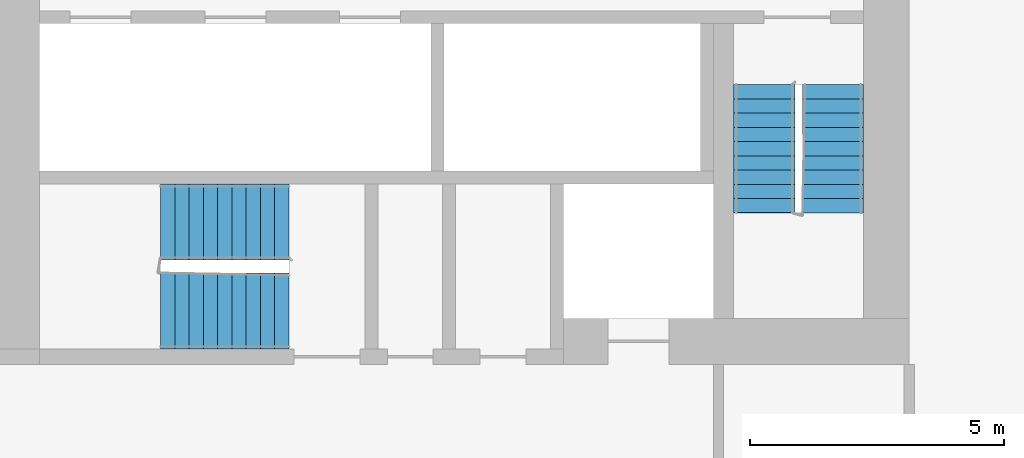
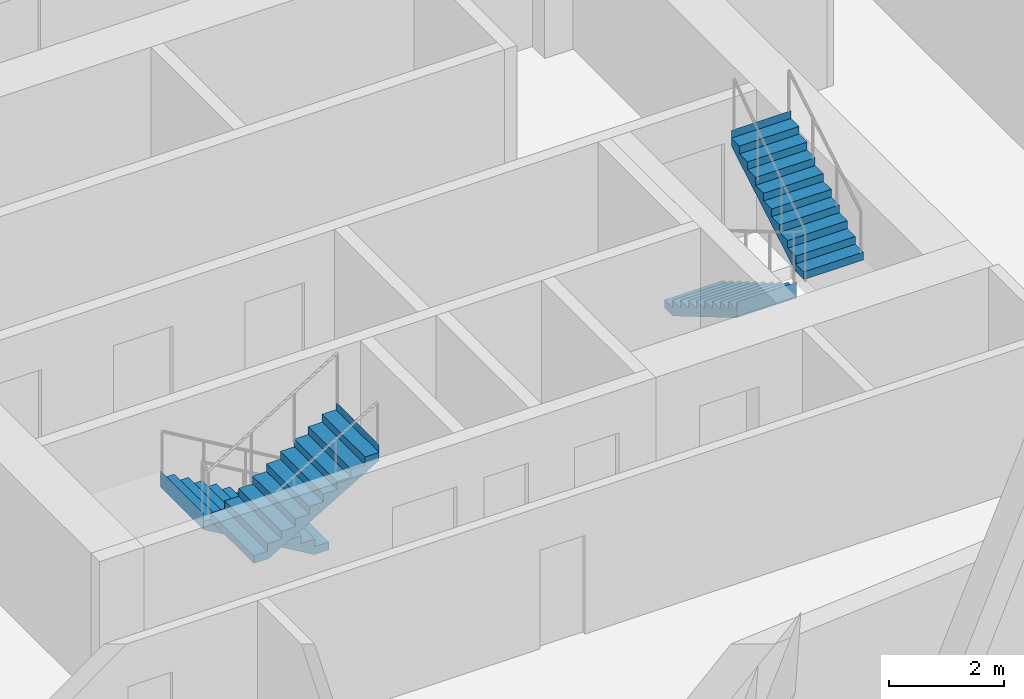
# One storey, part 9 of 13: 4 stair flights, 2 elements without a shape of their own.
"""IFC4 building model written with IfcOpenShell, lengths in metres."""

from ifc_helpers import new_model, si_unit, direction, frame, origin, place, context, subcontext, project, spatial, faceted_brep, material, type_object, element, aggregate, save


model = new_model("IFC4")

# Units and contexts
model_context = context("Model", 3, precision=1e-05, world=origin(), true_north=direction((0.0, 1.0)))
body_context = subcontext(model_context, "Body", "Model", "MODEL_VIEW")
ifc_project = project(units=[si_unit("LENGTHUNIT", "METRE"), si_unit("AREAUNIT", "SQUARE_METRE"), si_unit("VOLUMEUNIT", "CUBIC_METRE"), si_unit("PLANEANGLEUNIT", "RADIAN"), si_unit("MASSUNIT", "GRAM", prefix="KILO")], contexts=[model_context])

# Site, building, storey
site_placement = place(None, origin())
site = spatial("IfcSite", under=ifc_project, at=site_placement, CompositionType="ELEMENT")
building_placement = place(site_placement, origin())
building = spatial("IfcBuilding", under=site, at=building_placement, Name="Kajstack Hotel Tower", CompositionType="ELEMENT")
storey_placement = place(building_placement, frame((0.0, 0.0, 120.699951171875)))
storey = spatial("IfcBuildingStorey", under=building, at=storey_placement, Name="L26", CompositionType="ELEMENT", Elevation=120.699951171875)

# Stair, stair flights
ifc_material = material(Name="Concrete C40/50", Category="concrete")
stair_type_1 = type_object("IfcStairType", Name="Exit stair 1200", PredefinedType="HALF_TURN_STAIR", material=ifc_material)
stair_1_placement = place(storey_placement, origin())
stair_1 = element("IfcStair", 1, at=stair_1_placement, inside=storey, type_object=stair_type_1, Name="L26 stair W2", PredefinedType="HALF_TURN_STAIR")
stair_flight_type_1 = type_object("IfcStairFlightType", Name="Exit stair flight 1200", PredefinedType="STRAIGHT", material=ifc_material)
stair_flight_1_placement = place(storey_placement, frame((-16.35009765625, -10.0, 0.0), z_axis=(0.0, 0.0, 1.0), x_axis=(0.0, -1.0, 0.0)))
stair_flight_1 = element("IfcStairFlight", 2, at=stair_flight_1_placement, type_object=stair_flight_type_1, Name="W2 flight 1", NumberOfRisers=10, NumberOfTreads=9, PredefinedType="STRAIGHT", RiserHeight=0.165, TreadLength=0.28, context=body_context, shape_type="Brep", body=[
    faceted_brep([(0.295654296875, -0.60009765625, 0.0), (2.5205078125, -0.60009765625, 1.31103515625), (2.5205078125, -0.60009765625, 1.64990234375), (2.52001953125, -0.60009765625, 1.64990234375), (2.52001953125, -0.60009765625, 1.485107421875), (2.239990234375, -0.60009765625, 1.485107421875), (2.239990234375, -0.60009765625, 1.320068359375), (1.9599609375, -0.60009765625, 1.320068359375), (1.9599609375, -0.60009765625, 1.155029296875), (1.679931640625, -0.60009765625, 1.155029296875), (1.679931640625, -0.60009765625, 0.989990234375), (1.39990234375, -0.60009765625, 0.989990234375), (1.39990234375, -0.60009765625, 0.824951171875), (1.1201171875, -0.60009765625, 0.824951171875), (1.1201171875, -0.60009765625, 0.659912109375), (0.840087890625, -0.60009765625, 0.659912109375), (0.840087890625, -0.60009765625, 0.4951171875), (0.56005859375, -0.60009765625, 0.4951171875), (0.56005859375, -0.60009765625, 0.330078125), (0.280029296875, -0.60009765625, 0.330078125), (0.280029296875, -0.60009765625, 0.1650390625), (-0.00048828125, -0.60009765625, 0.1650390625), (-0.00048828125, -0.60009765625, 0.0), (-0.00048828125, 0.60009765625, 0.0), (-0.00048828125, 0.60009765625, 0.1650390625), (0.280029296875, 0.60009765625, 0.1650390625), (0.280029296875, 0.60009765625, 0.330078125), (0.56005859375, 0.60009765625, 0.330078125), (0.56005859375, 0.60009765625, 0.4951171875), (0.840087890625, 0.60009765625, 0.4951171875), (0.840087890625, 0.60009765625, 0.659912109375), (1.1201171875, 0.60009765625, 0.659912109375), (1.1201171875, 0.60009765625, 0.824951171875), (1.39990234375, 0.60009765625, 0.824951171875), (1.39990234375, 0.60009765625, 0.989990234375), (1.679931640625, 0.60009765625, 0.989990234375), (1.679931640625, 0.60009765625, 1.155029296875), (1.9599609375, 0.60009765625, 1.155029296875), (1.9599609375, 0.60009765625, 1.320068359375), (2.239990234375, 0.60009765625, 1.320068359375), (2.239990234375, 0.60009765625, 1.485107421875), (2.52001953125, 0.60009765625, 1.485107421875), (2.52001953125, 0.60009765625, 1.64990234375), (2.5205078125, 0.60009765625, 1.64990234375), (2.5205078125, 0.60009765625, 1.31103515625), (0.295654296875, 0.60009765625, 0.0), (-0.00048828125, -0.300048828125, 0.1650390625), (-0.00048828125, 0.0, 0.1650390625), (-0.00048828125, 0.300048828125, 0.1650390625), (-0.00048828125, 0.300048828125, 0.0), (-0.00048828125, 0.0, 0.0), (-0.00048828125, -0.300048828125, 0.0), (0.280029296875, -0.300048828125, 0.1650390625), (0.280029296875, 0.0, 0.1650390625), (0.280029296875, 0.300048828125, 0.1650390625), (0.280029296875, -0.300048828125, 0.330078125), (0.280029296875, 0.0, 0.330078125), (0.280029296875, 0.300048828125, 0.330078125), (0.56005859375, -0.300048828125, 0.330078125), (0.56005859375, 0.0, 0.330078125), (0.56005859375, 0.300048828125, 0.330078125), (0.56005859375, -0.300048828125, 0.4951171875), (0.56005859375, 0.0, 0.4951171875), (0.56005859375, 0.300048828125, 0.4951171875), (0.840087890625, -0.300048828125, 0.4951171875), (0.840087890625, 0.0, 0.4951171875), (0.840087890625, 0.300048828125, 0.4951171875), (0.840087890625, -0.300048828125, 0.659912109375), (0.840087890625, 0.0, 0.659912109375), (0.840087890625, 0.300048828125, 0.659912109375), (1.1201171875, -0.300048828125, 0.659912109375), (1.1201171875, 0.0, 0.659912109375), (1.1201171875, 0.300048828125, 0.659912109375), (1.1201171875, -0.300048828125, 0.824951171875), (1.1201171875, 0.0, 0.824951171875), (1.1201171875, 0.300048828125, 0.824951171875), (1.39990234375, -0.300048828125, 0.824951171875), (1.39990234375, 0.0, 0.824951171875), (1.39990234375, 0.300048828125, 0.824951171875), (1.39990234375, -0.300048828125, 0.989990234375), (1.39990234375, 0.0, 0.989990234375), (1.39990234375, 0.300048828125, 0.989990234375), (1.679931640625, -0.300048828125, 0.989990234375), (1.679931640625, 0.0, 0.989990234375), (1.679931640625, 0.300048828125, 0.989990234375), (1.679931640625, -0.300048828125, 1.155029296875), (1.679931640625, 0.0, 1.155029296875), (1.679931640625, 0.300048828125, 1.155029296875), (1.9599609375, -0.300048828125, 1.155029296875), (1.9599609375, 0.0, 1.155029296875), (1.9599609375, 0.300048828125, 1.155029296875), (1.9599609375, -0.300048828125, 1.320068359375), (1.9599609375, 0.0, 1.320068359375), (1.9599609375, 0.300048828125, 1.320068359375), (2.239990234375, -0.300048828125, 1.320068359375), (2.239990234375, 0.0, 1.320068359375), (2.239990234375, 0.300048828125, 1.320068359375), (2.239990234375, -0.300048828125, 1.485107421875), (2.239990234375, 0.0, 1.485107421875), (2.239990234375, 0.300048828125, 1.485107421875), (2.52001953125, -0.300048828125, 1.485107421875), (2.52001953125, 0.0, 1.485107421875), (2.52001953125, 0.300048828125, 1.485107421875), (2.52001953125, -0.300048828125, 1.64990234375), (2.52001953125, 0.0, 1.64990234375), (2.52001953125, 0.300048828125, 1.64990234375), (2.5205078125, -0.300048828125, 1.64990234375), (2.5205078125, 0.0, 1.64990234375), (2.5205078125, 0.300048828125, 1.64990234375), (2.5205078125, -0.300048828125, 1.31103515625), (2.5205078125, 0.0, 1.31103515625), (2.5205078125, 0.300048828125, 1.31103515625), (0.295654296875, -0.300048828125, 0.0), (0.295654296875, 0.0, 0.0), (0.295654296875, 0.300048828125, 0.0)], [[[0, 1, 2, 3, 4, 5, 6, 7, 8, 9, 10, 11, 12, 13, 14, 15, 16, 17, 18, 19, 20, 21, 22]], [[23, 24, 25, 26, 27, 28, 29, 30, 31, 32, 33, 34, 35, 36, 37, 38, 39, 40, 41, 42, 43, 44, 45]], [[21, 46, 47, 48, 24, 23, 49, 50, 51, 22]], [[20, 52, 53, 54, 25, 24, 48, 47, 46, 21]], [[19, 55, 56, 57, 26, 25, 54, 53, 52, 20]], [[18, 58, 59, 60, 27, 26, 57, 56, 55, 19]], [[17, 61, 62, 63, 28, 27, 60, 59, 58, 18]], [[16, 64, 65, 66, 29, 28, 63, 62, 61, 17]], [[15, 67, 68, 69, 30, 29, 66, 65, 64, 16]], [[14, 70, 71, 72, 31, 30, 69, 68, 67, 15]], [[13, 73, 74, 75, 32, 31, 72, 71, 70, 14]], [[12, 76, 77, 78, 33, 32, 75, 74, 73, 13]], [[11, 79, 80, 81, 34, 33, 78, 77, 76, 12]], [[10, 82, 83, 84, 35, 34, 81, 80, 79, 11]], [[9, 85, 86, 87, 36, 35, 84, 83, 82, 10]], [[8, 88, 89, 90, 37, 36, 87, 86, 85, 9]], [[7, 91, 92, 93, 38, 37, 90, 89, 88, 8]], [[6, 94, 95, 96, 39, 38, 93, 92, 91, 7]], [[5, 97, 98, 99, 40, 39, 96, 95, 94, 6]], [[4, 100, 101, 102, 41, 40, 99, 98, 97, 5]], [[3, 103, 104, 105, 42, 41, 102, 101, 100, 4]], [[2, 106, 107, 108, 43, 42, 105, 104, 103, 3]], [[1, 109, 110, 111, 44, 43, 108, 107, 106, 2]], [[0, 112, 113, 114, 45, 44, 111, 110, 109, 1]], [[22, 51, 50, 49, 23, 45, 114, 113, 112, 0]]]),
])
stair_flight_2_placement = place(storey_placement, frame((-15.0, -12.52001953125, 1.650146484375), z_axis=(0.0, 0.0, 1.0), x_axis=(0.0, 1.0, 0.0)))
stair_flight_2 = element("IfcStairFlight", 3, at=stair_flight_2_placement, type_object=stair_flight_type_1, Name="W2 flight 2", NumberOfRisers=10, NumberOfTreads=9, PredefinedType="STRAIGHT", RiserHeight=0.165, TreadLength=0.28, context=body_context, shape_type="Brep", body=[
    faceted_brep([(0.295654296875, -0.60009765625, 0.0), (2.5205078125, -0.60009765625, 1.31103515625), (2.5205078125, -0.60009765625, 1.64990234375), (2.52001953125, -0.60009765625, 1.64990234375), (2.52001953125, -0.60009765625, 1.485107421875), (2.239990234375, -0.60009765625, 1.485107421875), (2.239990234375, -0.60009765625, 1.320068359375), (1.9599609375, -0.60009765625, 1.320068359375), (1.9599609375, -0.60009765625, 1.155029296875), (1.679931640625, -0.60009765625, 1.155029296875), (1.679931640625, -0.60009765625, 0.989990234375), (1.39990234375, -0.60009765625, 0.989990234375), (1.39990234375, -0.60009765625, 0.824951171875), (1.1201171875, -0.60009765625, 0.824951171875), (1.1201171875, -0.60009765625, 0.659912109375), (0.840087890625, -0.60009765625, 0.659912109375), (0.840087890625, -0.60009765625, 0.4951171875), (0.56005859375, -0.60009765625, 0.4951171875), (0.56005859375, -0.60009765625, 0.330078125), (0.280029296875, -0.60009765625, 0.330078125), (0.280029296875, -0.60009765625, 0.1650390625), (-0.00048828125, -0.60009765625, 0.1650390625), (-0.00048828125, -0.60009765625, 0.0), (-0.00048828125, 0.60009765625, 0.0), (-0.00048828125, 0.60009765625, 0.1650390625), (0.280029296875, 0.60009765625, 0.1650390625), (0.280029296875, 0.60009765625, 0.330078125), (0.56005859375, 0.60009765625, 0.330078125), (0.56005859375, 0.60009765625, 0.4951171875), (0.840087890625, 0.60009765625, 0.4951171875), (0.840087890625, 0.60009765625, 0.659912109375), (1.1201171875, 0.60009765625, 0.659912109375), (1.1201171875, 0.60009765625, 0.824951171875), (1.39990234375, 0.60009765625, 0.824951171875), (1.39990234375, 0.60009765625, 0.989990234375), (1.679931640625, 0.60009765625, 0.989990234375), (1.679931640625, 0.60009765625, 1.155029296875), (1.9599609375, 0.60009765625, 1.155029296875), (1.9599609375, 0.60009765625, 1.320068359375), (2.239990234375, 0.60009765625, 1.320068359375), (2.239990234375, 0.60009765625, 1.485107421875), (2.52001953125, 0.60009765625, 1.485107421875), (2.52001953125, 0.60009765625, 1.64990234375), (2.5205078125, 0.60009765625, 1.64990234375), (2.5205078125, 0.60009765625, 1.31103515625), (0.295654296875, 0.60009765625, 0.0), (-0.00048828125, -0.300048828125, 0.1650390625), (-0.00048828125, 0.0, 0.1650390625), (-0.00048828125, 0.300048828125, 0.1650390625), (-0.00048828125, 0.300048828125, 0.0), (-0.00048828125, 0.0, 0.0), (-0.00048828125, -0.300048828125, 0.0), (0.280029296875, -0.300048828125, 0.1650390625), (0.280029296875, 0.0, 0.1650390625), (0.280029296875, 0.300048828125, 0.1650390625), (0.280029296875, -0.300048828125, 0.330078125), (0.280029296875, 0.0, 0.330078125), (0.280029296875, 0.300048828125, 0.330078125), (0.56005859375, -0.300048828125, 0.330078125), (0.56005859375, 0.0, 0.330078125), (0.56005859375, 0.300048828125, 0.330078125), (0.56005859375, -0.300048828125, 0.4951171875), (0.56005859375, 0.0, 0.4951171875), (0.56005859375, 0.300048828125, 0.4951171875), (0.840087890625, -0.300048828125, 0.4951171875), (0.840087890625, 0.0, 0.4951171875), (0.840087890625, 0.300048828125, 0.4951171875), (0.840087890625, -0.300048828125, 0.659912109375), (0.840087890625, 0.0, 0.659912109375), (0.840087890625, 0.300048828125, 0.659912109375), (1.1201171875, -0.300048828125, 0.659912109375), (1.1201171875, 0.0, 0.659912109375), (1.1201171875, 0.300048828125, 0.659912109375), (1.1201171875, -0.300048828125, 0.824951171875), (1.1201171875, 0.0, 0.824951171875), (1.1201171875, 0.300048828125, 0.824951171875), (1.39990234375, -0.300048828125, 0.824951171875), (1.39990234375, 0.0, 0.824951171875), (1.39990234375, 0.300048828125, 0.824951171875), (1.39990234375, -0.300048828125, 0.989990234375), (1.39990234375, 0.0, 0.989990234375), (1.39990234375, 0.300048828125, 0.989990234375), (1.679931640625, -0.300048828125, 0.989990234375), (1.679931640625, 0.0, 0.989990234375), (1.679931640625, 0.300048828125, 0.989990234375), (1.679931640625, -0.300048828125, 1.155029296875), (1.679931640625, 0.0, 1.155029296875), (1.679931640625, 0.300048828125, 1.155029296875), (1.9599609375, -0.300048828125, 1.155029296875), (1.9599609375, 0.0, 1.155029296875), (1.9599609375, 0.300048828125, 1.155029296875), (1.9599609375, -0.300048828125, 1.320068359375), (1.9599609375, 0.0, 1.320068359375), (1.9599609375, 0.300048828125, 1.320068359375), (2.239990234375, -0.300048828125, 1.320068359375), (2.239990234375, 0.0, 1.320068359375), (2.239990234375, 0.300048828125, 1.320068359375), (2.239990234375, -0.300048828125, 1.485107421875), (2.239990234375, 0.0, 1.485107421875), (2.239990234375, 0.300048828125, 1.485107421875), (2.52001953125, -0.300048828125, 1.485107421875), (2.52001953125, 0.0, 1.485107421875), (2.52001953125, 0.300048828125, 1.485107421875), (2.52001953125, -0.300048828125, 1.64990234375), (2.52001953125, 0.0, 1.64990234375), (2.52001953125, 0.300048828125, 1.64990234375), (2.5205078125, -0.300048828125, 1.64990234375), (2.5205078125, 0.0, 1.64990234375), (2.5205078125, 0.300048828125, 1.64990234375), (2.5205078125, -0.300048828125, 1.31103515625), (2.5205078125, 0.0, 1.31103515625), (2.5205078125, 0.300048828125, 1.31103515625), (0.295654296875, -0.300048828125, 0.0), (0.295654296875, 0.0, 0.0), (0.295654296875, 0.300048828125, 0.0)], [[[0, 1, 2, 3, 4, 5, 6, 7, 8, 9, 10, 11, 12, 13, 14, 15, 16, 17, 18, 19, 20, 21, 22]], [[23, 24, 25, 26, 27, 28, 29, 30, 31, 32, 33, 34, 35, 36, 37, 38, 39, 40, 41, 42, 43, 44, 45]], [[21, 46, 47, 48, 24, 23, 49, 50, 51, 22]], [[20, 52, 53, 54, 25, 24, 48, 47, 46, 21]], [[19, 55, 56, 57, 26, 25, 54, 53, 52, 20]], [[18, 58, 59, 60, 27, 26, 57, 56, 55, 19]], [[17, 61, 62, 63, 28, 27, 60, 59, 58, 18]], [[16, 64, 65, 66, 29, 28, 63, 62, 61, 17]], [[15, 67, 68, 69, 30, 29, 66, 65, 64, 16]], [[14, 70, 71, 72, 31, 30, 69, 68, 67, 15]], [[13, 73, 74, 75, 32, 31, 72, 71, 70, 14]], [[12, 76, 77, 78, 33, 32, 75, 74, 73, 13]], [[11, 79, 80, 81, 34, 33, 78, 77, 76, 12]], [[10, 82, 83, 84, 35, 34, 81, 80, 79, 11]], [[9, 85, 86, 87, 36, 35, 84, 83, 82, 10]], [[8, 88, 89, 90, 37, 36, 87, 86, 85, 9]], [[7, 91, 92, 93, 38, 37, 90, 89, 88, 8]], [[6, 94, 95, 96, 39, 38, 93, 92, 91, 7]], [[5, 97, 98, 99, 40, 39, 96, 95, 94, 6]], [[4, 100, 101, 102, 41, 40, 99, 98, 97, 5]], [[3, 103, 104, 105, 42, 41, 102, 101, 100, 4]], [[2, 106, 107, 108, 43, 42, 105, 104, 103, 3]], [[1, 109, 110, 111, 44, 43, 108, 107, 106, 2]], [[0, 112, 113, 114, 45, 44, 111, 110, 109, 1]], [[22, 51, 50, 49, 23, 45, 114, 113, 112, 0]]]),
])
aggregate(stair_1, [stair_flight_1, stair_flight_2])

stair_type_2 = type_object("IfcStairType", Name="Exit stair 1500", PredefinedType="HALF_TURN_STAIR", material=ifc_material)
stair_2_placement = place(storey_placement, origin())
stair_2 = element("IfcStair", 4, at=stair_2_placement, inside=storey, type_object=stair_type_2, Name="L26 stair W3", PredefinedType="HALF_TURN_STAIR")
stair_flight_type_2 = type_object("IfcStairFlightType", Name="Exit stair flight 1500", PredefinedType="STRAIGHT", material=ifc_material)
stair_flight_3_placement = place(storey_placement, frame((-25.699951171875, -12.699951171875, 0.0), z_axis=(0.0, 0.0, 1.0), x_axis=(-1.0, 0.0, 0.0)))
stair_flight_3 = element("IfcStairFlight", 5, at=stair_flight_3_placement, type_object=stair_flight_type_2, Name="W3 flight 1", NumberOfRisers=10, NumberOfTreads=9, PredefinedType="STRAIGHT", RiserHeight=0.165, TreadLength=0.28, context=body_context, shape_type="Brep", body=[
    faceted_brep([(0.295654296875, -0.75, 0.0), (2.5205078125, -0.75, 1.31103515625), (2.5205078125, -0.75, 1.64990234375), (2.52001953125, -0.75, 1.64990234375), (2.52001953125, -0.75, 1.485107421875), (2.239990234375, -0.75, 1.485107421875), (2.239990234375, -0.75, 1.320068359375), (1.9599609375, -0.75, 1.320068359375), (1.9599609375, -0.75, 1.155029296875), (1.679931640625, -0.75, 1.155029296875), (1.679931640625, -0.75, 0.989990234375), (1.39990234375, -0.75, 0.989990234375), (1.39990234375, -0.75, 0.824951171875), (1.1201171875, -0.75, 0.824951171875), (1.1201171875, -0.75, 0.659912109375), (0.840087890625, -0.75, 0.659912109375), (0.840087890625, -0.75, 0.4951171875), (0.56005859375, -0.75, 0.4951171875), (0.56005859375, -0.75, 0.330078125), (0.280029296875, -0.75, 0.330078125), (0.280029296875, -0.75, 0.1650390625), (-0.00048828125, -0.75, 0.1650390625), (-0.00048828125, -0.75, 0.0), (-0.00048828125, 0.75, 0.0), (-0.00048828125, 0.75, 0.1650390625), (0.280029296875, 0.75, 0.1650390625), (0.280029296875, 0.75, 0.330078125), (0.56005859375, 0.75, 0.330078125), (0.56005859375, 0.75, 0.4951171875), (0.840087890625, 0.75, 0.4951171875), (0.840087890625, 0.75, 0.659912109375), (1.1201171875, 0.75, 0.659912109375), (1.1201171875, 0.75, 0.824951171875), (1.39990234375, 0.75, 0.824951171875), (1.39990234375, 0.75, 0.989990234375), (1.679931640625, 0.75, 0.989990234375), (1.679931640625, 0.75, 1.155029296875), (1.9599609375, 0.75, 1.155029296875), (1.9599609375, 0.75, 1.320068359375), (2.239990234375, 0.75, 1.320068359375), (2.239990234375, 0.75, 1.485107421875), (2.52001953125, 0.75, 1.485107421875), (2.52001953125, 0.75, 1.64990234375), (2.5205078125, 0.75, 1.64990234375), (2.5205078125, 0.75, 1.31103515625), (0.295654296875, 0.75, 0.0), (-0.00048828125, -0.375, 0.1650390625), (-0.00048828125, 0.0, 0.1650390625), (-0.00048828125, 0.375, 0.1650390625), (-0.00048828125, 0.375, 0.0), (-0.00048828125, 0.0, 0.0), (-0.00048828125, -0.375, 0.0), (0.280029296875, -0.375, 0.1650390625), (0.280029296875, 0.0, 0.1650390625), (0.280029296875, 0.375, 0.1650390625), (0.280029296875, -0.375, 0.330078125), (0.280029296875, 0.0, 0.330078125), (0.280029296875, 0.375, 0.330078125), (0.56005859375, -0.375, 0.330078125), (0.56005859375, 0.0, 0.330078125), (0.56005859375, 0.375, 0.330078125), (0.56005859375, -0.375, 0.4951171875), (0.56005859375, 0.0, 0.4951171875), (0.56005859375, 0.375, 0.4951171875), (0.840087890625, -0.375, 0.4951171875), (0.840087890625, 0.0, 0.4951171875), (0.840087890625, 0.375, 0.4951171875), (0.840087890625, -0.375, 0.659912109375), (0.840087890625, 0.0, 0.659912109375), (0.840087890625, 0.375, 0.659912109375), (1.1201171875, -0.375, 0.659912109375), (1.1201171875, 0.0, 0.659912109375), (1.1201171875, 0.375, 0.659912109375), (1.1201171875, -0.375, 0.824951171875), (1.1201171875, 0.0, 0.824951171875), (1.1201171875, 0.375, 0.824951171875), (1.39990234375, -0.375, 0.824951171875), (1.39990234375, 0.0, 0.824951171875), (1.39990234375, 0.375, 0.824951171875), (1.39990234375, -0.375, 0.989990234375), (1.39990234375, 0.0, 0.989990234375), (1.39990234375, 0.375, 0.989990234375), (1.679931640625, -0.375, 0.989990234375), (1.679931640625, 0.0, 0.989990234375), (1.679931640625, 0.375, 0.989990234375), (1.679931640625, -0.375, 1.155029296875), (1.679931640625, 0.0, 1.155029296875), (1.679931640625, 0.375, 1.155029296875), (1.9599609375, -0.375, 1.155029296875), (1.9599609375, 0.0, 1.155029296875), (1.9599609375, 0.375, 1.155029296875), (1.9599609375, -0.375, 1.320068359375), (1.9599609375, 0.0, 1.320068359375), (1.9599609375, 0.375, 1.320068359375), (2.239990234375, -0.375, 1.320068359375), (2.239990234375, 0.0, 1.320068359375), (2.239990234375, 0.375, 1.320068359375), (2.239990234375, -0.375, 1.485107421875), (2.239990234375, 0.0, 1.485107421875), (2.239990234375, 0.375, 1.485107421875), (2.52001953125, -0.375, 1.485107421875), (2.52001953125, 0.0, 1.485107421875), (2.52001953125, 0.375, 1.485107421875), (2.52001953125, -0.375, 1.64990234375), (2.52001953125, 0.0, 1.64990234375), (2.52001953125, 0.375, 1.64990234375), (2.5205078125, -0.375, 1.64990234375), (2.5205078125, 0.0, 1.64990234375), (2.5205078125, 0.375, 1.64990234375), (2.5205078125, -0.375, 1.31103515625), (2.5205078125, 0.0, 1.31103515625), (2.5205078125, 0.375, 1.31103515625), (0.295654296875, -0.375, 0.0), (0.295654296875, 0.0, 0.0), (0.295654296875, 0.375, 0.0)], [[[0, 1, 2, 3, 4, 5, 6, 7, 8, 9, 10, 11, 12, 13, 14, 15, 16, 17, 18, 19, 20, 21, 22]], [[23, 24, 25, 26, 27, 28, 29, 30, 31, 32, 33, 34, 35, 36, 37, 38, 39, 40, 41, 42, 43, 44, 45]], [[21, 46, 47, 48, 24, 23, 49, 50, 51, 22]], [[20, 52, 53, 54, 25, 24, 48, 47, 46, 21]], [[19, 55, 56, 57, 26, 25, 54, 53, 52, 20]], [[18, 58, 59, 60, 27, 26, 57, 56, 55, 19]], [[17, 61, 62, 63, 28, 27, 60, 59, 58, 18]], [[16, 64, 65, 66, 29, 28, 63, 62, 61, 17]], [[15, 67, 68, 69, 30, 29, 66, 65, 64, 16]], [[14, 70, 71, 72, 31, 30, 69, 68, 67, 15]], [[13, 73, 74, 75, 32, 31, 72, 71, 70, 14]], [[12, 76, 77, 78, 33, 32, 75, 74, 73, 13]], [[11, 79, 80, 81, 34, 33, 78, 77, 76, 12]], [[10, 82, 83, 84, 35, 34, 81, 80, 79, 11]], [[9, 85, 86, 87, 36, 35, 84, 83, 82, 10]], [[8, 88, 89, 90, 37, 36, 87, 86, 85, 9]], [[7, 91, 92, 93, 38, 37, 90, 89, 88, 8]], [[6, 94, 95, 96, 39, 38, 93, 92, 91, 7]], [[5, 97, 98, 99, 40, 39, 96, 95, 94, 6]], [[4, 100, 101, 102, 41, 40, 99, 98, 97, 5]], [[3, 103, 104, 105, 42, 41, 102, 101, 100, 4]], [[2, 106, 107, 108, 43, 42, 105, 104, 103, 3]], [[1, 109, 110, 111, 44, 43, 108, 107, 106, 2]], [[0, 112, 113, 114, 45, 44, 111, 110, 109, 1]], [[22, 51, 50, 49, 23, 45, 114, 113, 112, 0]]]),
])
stair_flight_4_placement = place(storey_placement, frame((-28.219970703125, -14.449951171875, 1.650146484375), z_axis=(0.0, 0.0, 1.0), x_axis=(1.0, 0.0, 0.0)))
stair_flight_4 = element("IfcStairFlight", 6, at=stair_flight_4_placement, type_object=stair_flight_type_2, Name="W3 flight 2", NumberOfRisers=10, NumberOfTreads=9, PredefinedType="STRAIGHT", RiserHeight=0.165, TreadLength=0.28, context=body_context, shape_type="Brep", body=[
    faceted_brep([(0.295654296875, -0.75, 0.0), (2.5205078125, -0.75, 1.31103515625), (2.5205078125, -0.75, 1.64990234375), (2.52001953125, -0.75, 1.64990234375), (2.52001953125, -0.75, 1.485107421875), (2.239990234375, -0.75, 1.485107421875), (2.239990234375, -0.75, 1.320068359375), (1.9599609375, -0.75, 1.320068359375), (1.9599609375, -0.75, 1.155029296875), (1.679931640625, -0.75, 1.155029296875), (1.679931640625, -0.75, 0.989990234375), (1.39990234375, -0.75, 0.989990234375), (1.39990234375, -0.75, 0.824951171875), (1.1201171875, -0.75, 0.824951171875), (1.1201171875, -0.75, 0.659912109375), (0.840087890625, -0.75, 0.659912109375), (0.840087890625, -0.75, 0.4951171875), (0.56005859375, -0.75, 0.4951171875), (0.56005859375, -0.75, 0.330078125), (0.280029296875, -0.75, 0.330078125), (0.280029296875, -0.75, 0.1650390625), (-0.00048828125, -0.75, 0.1650390625), (-0.00048828125, -0.75, 0.0), (-0.00048828125, 0.75, 0.0), (-0.00048828125, 0.75, 0.1650390625), (0.280029296875, 0.75, 0.1650390625), (0.280029296875, 0.75, 0.330078125), (0.56005859375, 0.75, 0.330078125), (0.56005859375, 0.75, 0.4951171875), (0.840087890625, 0.75, 0.4951171875), (0.840087890625, 0.75, 0.659912109375), (1.1201171875, 0.75, 0.659912109375), (1.1201171875, 0.75, 0.824951171875), (1.39990234375, 0.75, 0.824951171875), (1.39990234375, 0.75, 0.989990234375), (1.679931640625, 0.75, 0.989990234375), (1.679931640625, 0.75, 1.155029296875), (1.9599609375, 0.75, 1.155029296875), (1.9599609375, 0.75, 1.320068359375), (2.239990234375, 0.75, 1.320068359375), (2.239990234375, 0.75, 1.485107421875), (2.52001953125, 0.75, 1.485107421875), (2.52001953125, 0.75, 1.64990234375), (2.5205078125, 0.75, 1.64990234375), (2.5205078125, 0.75, 1.31103515625), (0.295654296875, 0.75, 0.0), (-0.00048828125, -0.375, 0.1650390625), (-0.00048828125, 0.0, 0.1650390625), (-0.00048828125, 0.375, 0.1650390625), (-0.00048828125, 0.375, 0.0), (-0.00048828125, 0.0, 0.0), (-0.00048828125, -0.375, 0.0), (0.280029296875, -0.375, 0.1650390625), (0.280029296875, 0.0, 0.1650390625), (0.280029296875, 0.375, 0.1650390625), (0.280029296875, -0.375, 0.330078125), (0.280029296875, 0.0, 0.330078125), (0.280029296875, 0.375, 0.330078125), (0.56005859375, -0.375, 0.330078125), (0.56005859375, 0.0, 0.330078125), (0.56005859375, 0.375, 0.330078125), (0.56005859375, -0.375, 0.4951171875), (0.56005859375, 0.0, 0.4951171875), (0.56005859375, 0.375, 0.4951171875), (0.840087890625, -0.375, 0.4951171875), (0.840087890625, 0.0, 0.4951171875), (0.840087890625, 0.375, 0.4951171875), (0.840087890625, -0.375, 0.659912109375), (0.840087890625, 0.0, 0.659912109375), (0.840087890625, 0.375, 0.659912109375), (1.1201171875, -0.375, 0.659912109375), (1.1201171875, 0.0, 0.659912109375), (1.1201171875, 0.375, 0.659912109375), (1.1201171875, -0.375, 0.824951171875), (1.1201171875, 0.0, 0.824951171875), (1.1201171875, 0.375, 0.824951171875), (1.39990234375, -0.375, 0.824951171875), (1.39990234375, 0.0, 0.824951171875), (1.39990234375, 0.375, 0.824951171875), (1.39990234375, -0.375, 0.989990234375), (1.39990234375, 0.0, 0.989990234375), (1.39990234375, 0.375, 0.989990234375), (1.679931640625, -0.375, 0.989990234375), (1.679931640625, 0.0, 0.989990234375), (1.679931640625, 0.375, 0.989990234375), (1.679931640625, -0.375, 1.155029296875), (1.679931640625, 0.0, 1.155029296875), (1.679931640625, 0.375, 1.155029296875), (1.9599609375, -0.375, 1.155029296875), (1.9599609375, 0.0, 1.155029296875), (1.9599609375, 0.375, 1.155029296875), (1.9599609375, -0.375, 1.320068359375), (1.9599609375, 0.0, 1.320068359375), (1.9599609375, 0.375, 1.320068359375), (2.239990234375, -0.375, 1.320068359375), (2.239990234375, 0.0, 1.320068359375), (2.239990234375, 0.375, 1.320068359375), (2.239990234375, -0.375, 1.485107421875), (2.239990234375, 0.0, 1.485107421875), (2.239990234375, 0.375, 1.485107421875), (2.52001953125, -0.375, 1.485107421875), (2.52001953125, 0.0, 1.485107421875), (2.52001953125, 0.375, 1.485107421875), (2.52001953125, -0.375, 1.64990234375), (2.52001953125, 0.0, 1.64990234375), (2.52001953125, 0.375, 1.64990234375), (2.5205078125, -0.375, 1.64990234375), (2.5205078125, 0.0, 1.64990234375), (2.5205078125, 0.375, 1.64990234375), (2.5205078125, -0.375, 1.31103515625), (2.5205078125, 0.0, 1.31103515625), (2.5205078125, 0.375, 1.31103515625), (0.295654296875, -0.375, 0.0), (0.295654296875, 0.0, 0.0), (0.295654296875, 0.375, 0.0)], [[[0, 1, 2, 3, 4, 5, 6, 7, 8, 9, 10, 11, 12, 13, 14, 15, 16, 17, 18, 19, 20, 21, 22]], [[23, 24, 25, 26, 27, 28, 29, 30, 31, 32, 33, 34, 35, 36, 37, 38, 39, 40, 41, 42, 43, 44, 45]], [[21, 46, 47, 48, 24, 23, 49, 50, 51, 22]], [[20, 52, 53, 54, 25, 24, 48, 47, 46, 21]], [[19, 55, 56, 57, 26, 25, 54, 53, 52, 20]], [[18, 58, 59, 60, 27, 26, 57, 56, 55, 19]], [[17, 61, 62, 63, 28, 27, 60, 59, 58, 18]], [[16, 64, 65, 66, 29, 28, 63, 62, 61, 17]], [[15, 67, 68, 69, 30, 29, 66, 65, 64, 16]], [[14, 70, 71, 72, 31, 30, 69, 68, 67, 15]], [[13, 73, 74, 75, 32, 31, 72, 71, 70, 14]], [[12, 76, 77, 78, 33, 32, 75, 74, 73, 13]], [[11, 79, 80, 81, 34, 33, 78, 77, 76, 12]], [[10, 82, 83, 84, 35, 34, 81, 80, 79, 11]], [[9, 85, 86, 87, 36, 35, 84, 83, 82, 10]], [[8, 88, 89, 90, 37, 36, 87, 86, 85, 9]], [[7, 91, 92, 93, 38, 37, 90, 89, 88, 8]], [[6, 94, 95, 96, 39, 38, 93, 92, 91, 7]], [[5, 97, 98, 99, 40, 39, 96, 95, 94, 6]], [[4, 100, 101, 102, 41, 40, 99, 98, 97, 5]], [[3, 103, 104, 105, 42, 41, 102, 101, 100, 4]], [[2, 106, 107, 108, 43, 42, 105, 104, 103, 3]], [[1, 109, 110, 111, 44, 43, 108, 107, 106, 2]], [[0, 112, 113, 114, 45, 44, 111, 110, 109, 1]], [[22, 51, 50, 49, 23, 45, 114, 113, 112, 0]]]),
])
aggregate(stair_2, [stair_flight_3, stair_flight_4])

save(model, "model.ifc")
